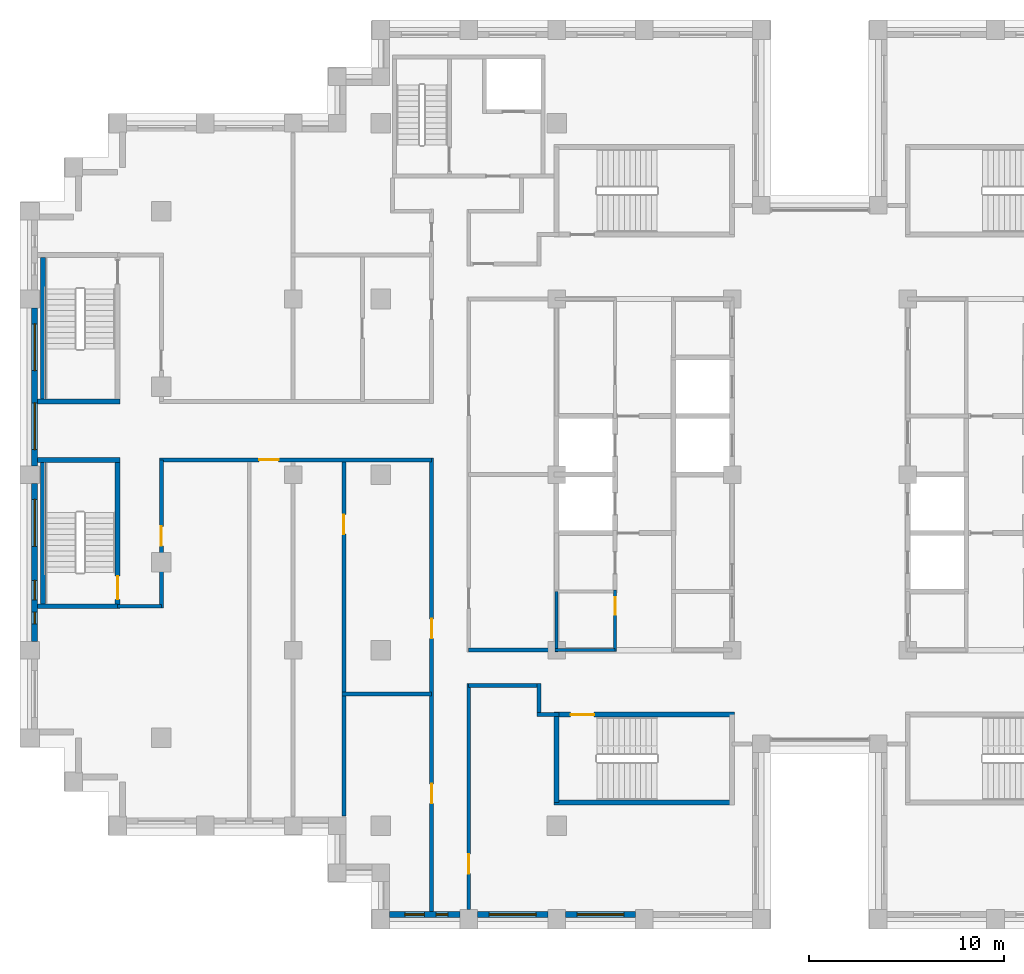
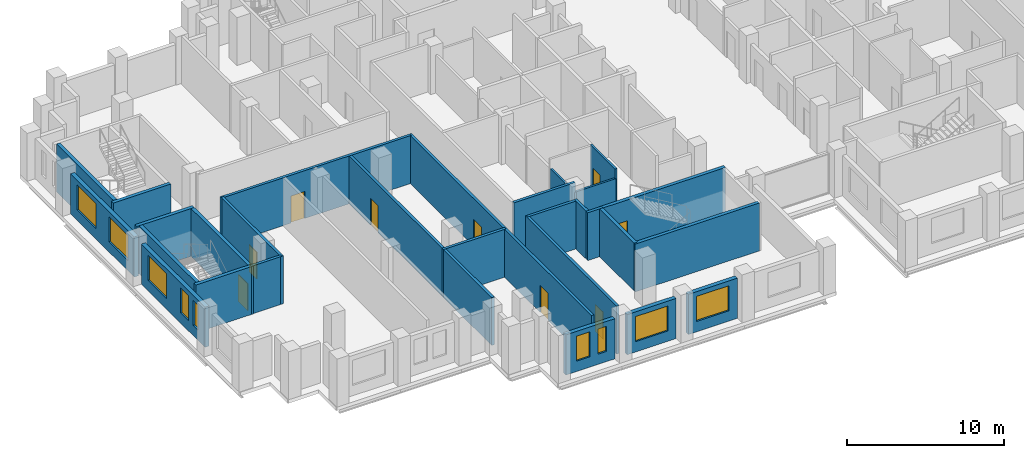
# One storey, part 6 of 15: 28 walls, 9 doors, 9 windows, 18 openings.
"""IFC4 building model written with IfcOpenShell, lengths in metres."""

from ifc_helpers import new_model, si_unit, direction, frame, frame_2d, origin, place, context, subcontext, project, spatial, rectangle, extrude, material, layer, layer_set, type_object, element, fill, save


model = new_model("IFC4")

# Units and contexts
model_context = context("Model", 3, precision=1e-05, world=origin(), true_north=direction((0.0, 1.0)))
body_context = subcontext(model_context, "Body", "Model", "MODEL_VIEW")
ifc_project = project(units=[si_unit("LENGTHUNIT", "METRE"), si_unit("AREAUNIT", "SQUARE_METRE"), si_unit("VOLUMEUNIT", "CUBIC_METRE"), si_unit("PLANEANGLEUNIT", "RADIAN"), si_unit("MASSUNIT", "GRAM", prefix="KILO")], contexts=[model_context])

# Site, building, storey
site_placement = place(None, origin())
site = spatial("IfcSite", under=ifc_project, at=site_placement, CompositionType="ELEMENT")
building_placement = place(site_placement, origin())
building = spatial("IfcBuilding", under=site, at=building_placement, Name="Corbelhall Arena Tower", CompositionType="ELEMENT")
storey_placement = place(building_placement, frame((0.0, 0.0, 204.0)))
storey = spatial("IfcBuildingStorey", under=building, at=storey_placement, Name="L42", CompositionType="ELEMENT", Elevation=204.0)

# Wall, openings, windows
ifc_material_1 = material(Name="Precast concrete C40/50 with granite facing", Category="masonry")
ifc_layer_1 = layer(ifc_material_1, 0.300048828125)
ifc_layer_set_1 = layer_set([ifc_layer_1], Name="EV-IW1 Infill panel 300")
wall_type_1 = type_object("IfcWallType", Name="EV-IW1 Infill panel 300", PredefinedType="SOLIDWALL", material=ifc_layer_set_1)
wall_1_placement = place(storey_placement, frame((-40.25, 8.550048828125, 0.0), z_axis=(0.0, 0.0, 1.0), x_axis=(0.0, -1.0, 0.0)))
wall_1 = element("IfcWall", 1, at=wall_1_placement, inside=storey, type_object=wall_type_1, Name="Infill panel IW1", PredefinedType="SOLIDWALL", context=body_context, shape_type="SweptSolid", body=[
    extrude(rectangle(XDim=8.10009765625, YDim=0.300048828125, at=frame_2d((4.050048828125, 0.0))), origin(), (0.0, 0.0, 1.0), 3.1201171875),
])
opening_1_placement = place(wall_1_placement, frame((0.824951171875, 0.0, 0.800048828125)))
opening_1 = element("IfcOpeningElement", 2, at=opening_1_placement, cuts=wall_1, Name="Opening WN1", PredefinedType="OPENING", context=body_context, shape_type="SweptSolid", body=[
    extrude(rectangle(XDim=2.39990234375, YDim=1.949951171875, at=frame_2d((1.199951171875, 0.97509765625))), frame((0.0, 0.14990234375, 0.0), z_axis=(0.0, -1.0, 0.0), x_axis=(1.0, 0.0, 0.0)), (0.0, 0.0, 1.0), 0.300048828125),
])
opening_2_placement = place(wall_1_placement, frame((4.875, 0.0, 0.800048828125)))
opening_2 = element("IfcOpeningElement", 3, at=opening_2_placement, cuts=wall_1, Name="Opening WN1", PredefinedType="OPENING", context=body_context, shape_type="SweptSolid", body=[
    extrude(rectangle(XDim=2.39990234375, YDim=1.949951171875, at=frame_2d((1.199951171875, 0.97509765625))), frame((0.0, 0.14990234375, 0.0), z_axis=(0.0, -1.0, 0.0), x_axis=(1.0, 0.0, 0.0)), (0.0, 0.0, 1.0), 0.300048828125),
])
ifc_material_2 = material(Name="Aluminium black anodised", Category="aluminium")
window_type_1 = type_object("IfcWindowType", Name="EV-WN1 Office window", PartitioningType="SINGLE_PANEL", PredefinedType="WINDOW", material=ifc_material_2)
window_1_placement = place(opening_1_placement, origin())
window_1 = element("IfcWindow", 4, at=window_1_placement, inside=storey, type_object=window_type_1, Name="Window WN1", OverallHeight=1.949951171875, OverallWidth=2.39990234375, PartitioningType="SINGLE_PANEL", PredefinedType="WINDOW", context=body_context, shape_type="SweptSolid", body=[
    extrude(rectangle(XDim=2.39990234375, YDim=1.949951171875, at=frame_2d((1.199951171875, 0.97509765625))), frame((0.0, 0.030029296875, 0.0), z_axis=(0.0, -1.0, 0.0), x_axis=(1.0, 0.0, 0.0)), (0.0, 0.0, 1.0), 0.06005859375),
])
fill(opening_1, window_1)
window_2_placement = place(opening_2_placement, origin())
window_2 = element("IfcWindow", 5, at=window_2_placement, inside=storey, type_object=window_type_1, Name="Window WN1", OverallHeight=1.949951171875, OverallWidth=2.39990234375, PartitioningType="SINGLE_PANEL", PredefinedType="WINDOW", context=body_context, shape_type="SweptSolid", body=[
    extrude(rectangle(XDim=2.39990234375, YDim=1.949951171875, at=frame_2d((1.199951171875, 0.97509765625))), frame((0.0, 0.030029296875, 0.0), z_axis=(0.0, -1.0, 0.0), x_axis=(1.0, 0.0, 0.0)), (0.0, 0.0, 1.0), 0.06005859375),
])
fill(opening_2, window_2)

wall_2_placement = place(storey_placement, frame((-40.25, -0.449951171875, 0.0), z_axis=(0.0, 0.0, 1.0), x_axis=(0.0, -1.0, 0.0)))
wall_2 = element("IfcWall", 6, at=wall_2_placement, inside=storey, type_object=wall_type_1, Name="Infill panel IW1", PredefinedType="SOLIDWALL", context=body_context, shape_type="SweptSolid", body=[
    extrude(rectangle(XDim=8.10009765625, YDim=0.300048828125, at=frame_2d((4.050048828125, 0.0))), origin(), (0.0, 0.0, 1.0), 3.1201171875),
])
opening_3_placement = place(wall_2_placement, frame((0.824951171875, 0.0, 0.800048828125)))
opening_3 = element("IfcOpeningElement", 7, at=opening_3_placement, cuts=wall_2, Name="Opening WN1", PredefinedType="OPENING", context=body_context, shape_type="SweptSolid", body=[
    extrude(rectangle(XDim=2.39990234375, YDim=1.949951171875, at=frame_2d((1.199951171875, 0.97509765625))), frame((0.0, 0.14990234375, 0.0), z_axis=(0.0, -1.0, 0.0), x_axis=(1.0, 0.0, 0.0)), (0.0, 0.0, 1.0), 0.300048828125),
])
opening_4_placement = place(wall_2_placement, frame((4.97509765625, 0.0, 0.800048828125)))
opening_4 = element("IfcOpeningElement", 8, at=opening_4_placement, cuts=wall_2, Name="Opening WN6", PredefinedType="OPENING", context=body_context, shape_type="SweptSolid", body=[
    extrude(rectangle(XDim=1.0, YDim=1.949951171875, at=frame_2d((0.5, 0.97509765625))), frame((0.0, 0.14990234375, 0.0), z_axis=(0.0, -1.0, 0.0), x_axis=(1.0, 0.0, 0.0)), (0.0, 0.0, 1.0), 0.300048828125),
])
opening_5_placement = place(wall_2_placement, frame((6.60009765625, 0.0, 0.800048828125)))
opening_5 = element("IfcOpeningElement", 9, at=opening_5_placement, cuts=wall_2, Name="Opening WN5", PredefinedType="OPENING", context=body_context, shape_type="SweptSolid", body=[
    extrude(rectangle(XDim=0.60009765625, YDim=1.949951171875, at=frame_2d((0.300048828125, 0.97509765625))), frame((0.0, 0.14990234375, 0.0), z_axis=(0.0, -1.0, 0.0), x_axis=(1.0, 0.0, 0.0)), (0.0, 0.0, 1.0), 0.300048828125),
])
window_3_placement = place(opening_3_placement, origin())
window_3 = element("IfcWindow", 10, at=window_3_placement, inside=storey, type_object=window_type_1, Name="Window WN1", OverallHeight=1.949951171875, OverallWidth=2.39990234375, PartitioningType="SINGLE_PANEL", PredefinedType="WINDOW", context=body_context, shape_type="SweptSolid", body=[
    extrude(rectangle(XDim=2.39990234375, YDim=1.949951171875, at=frame_2d((1.199951171875, 0.97509765625))), frame((0.0, 0.030029296875, 0.0), z_axis=(0.0, -1.0, 0.0), x_axis=(1.0, 0.0, 0.0)), (0.0, 0.0, 1.0), 0.06005859375),
])
fill(opening_3, window_3)
window_type_2 = type_object("IfcWindowType", Name="EV-WN5 Office window 600", PartitioningType="SINGLE_PANEL", PredefinedType="WINDOW", material=ifc_material_2)
window_4_placement = place(opening_5_placement, origin())
window_4 = element("IfcWindow", 11, at=window_4_placement, inside=storey, type_object=window_type_2, Name="Window WN5", OverallHeight=1.949951171875, OverallWidth=0.60009765625, PartitioningType="SINGLE_PANEL", PredefinedType="WINDOW", context=body_context, shape_type="SweptSolid", body=[
    extrude(rectangle(XDim=0.60009765625, YDim=1.949951171875, at=frame_2d((0.300048828125, 0.97509765625))), frame((0.0, 0.030029296875, 0.0), z_axis=(0.0, -1.0, 0.0), x_axis=(1.0, 0.0, 0.0)), (0.0, 0.0, 1.0), 0.06005859375),
])
fill(opening_5, window_4)
window_type_3 = type_object("IfcWindowType", Name="EV-WN6 Office window 1000", PartitioningType="SINGLE_PANEL", PredefinedType="WINDOW", material=ifc_material_2)
window_5_placement = place(opening_4_placement, origin())
window_5 = element("IfcWindow", 12, at=window_5_placement, inside=storey, type_object=window_type_3, Name="Window WN6", OverallHeight=1.949951171875, OverallWidth=1.0, PartitioningType="SINGLE_PANEL", PredefinedType="WINDOW", context=body_context, shape_type="SweptSolid", body=[
    extrude(rectangle(XDim=1.0, YDim=1.949951171875, at=frame_2d((0.5, 0.97509765625))), frame((0.0, 0.030029296875, 0.0), z_axis=(0.0, -1.0, 0.0), x_axis=(1.0, 0.0, 0.0)), (0.0, 0.0, 1.0), 0.06005859375),
])
fill(opening_4, window_5)

wall_3_placement = place(storey_placement, frame((-22.050048828125, -22.550048828125, 0.0), z_axis=(0.0, 0.0, 1.0), x_axis=(1.0, 0.0, 0.0)))
wall_3 = element("IfcWall", 13, at=wall_3_placement, inside=storey, type_object=wall_type_1, Name="Infill panel IW1", PredefinedType="SOLIDWALL", context=body_context, shape_type="SweptSolid", body=[
    extrude(rectangle(XDim=3.60009765625, YDim=0.300048828125, at=frame_2d((1.800048828125, 0.0))), origin(), (0.0, 0.0, 1.0), 3.1201171875),
])
opening_6_placement = place(wall_3_placement, frame((0.77490234375, 0.0, 0.800048828125)))
opening_6 = element("IfcOpeningElement", 14, at=opening_6_placement, cuts=wall_3, Name="Opening WN6", PredefinedType="OPENING", context=body_context, shape_type="SweptSolid", body=[
    extrude(rectangle(XDim=1.0, YDim=1.949951171875, at=frame_2d((0.5, 0.97509765625))), frame((0.0, 0.14990234375, 0.0), z_axis=(0.0, -1.0, 0.0), x_axis=(1.0, 0.0, 0.0)), (0.0, 0.0, 1.0), 0.300048828125),
])
opening_7_placement = place(wall_3_placement, frame((2.375, 0.0, 0.800048828125)))
opening_7 = element("IfcOpeningElement", 15, at=opening_7_placement, cuts=wall_3, Name="Opening WN5", PredefinedType="OPENING", context=body_context, shape_type="SweptSolid", body=[
    extrude(rectangle(XDim=0.60009765625, YDim=1.949951171875, at=frame_2d((0.300048828125, 0.97509765625))), frame((0.0, 0.14990234375, 0.0), z_axis=(0.0, -1.0, 0.0), x_axis=(1.0, 0.0, 0.0)), (0.0, 0.0, 1.0), 0.300048828125),
])
window_6_placement = place(opening_7_placement, origin())
window_6 = element("IfcWindow", 16, at=window_6_placement, inside=storey, type_object=window_type_2, Name="Window WN5", OverallHeight=1.949951171875, OverallWidth=0.60009765625, PartitioningType="SINGLE_PANEL", PredefinedType="WINDOW", context=body_context, shape_type="SweptSolid", body=[
    extrude(rectangle(XDim=0.60009765625, YDim=1.949951171875, at=frame_2d((0.300048828125, 0.97509765625))), frame((0.0, 0.030029296875, 0.0), z_axis=(0.0, -1.0, 0.0), x_axis=(1.0, 0.0, 0.0)), (0.0, 0.0, 1.0), 0.06005859375),
])
fill(opening_7, window_6)
window_7_placement = place(opening_6_placement, origin())
window_7 = element("IfcWindow", 17, at=window_7_placement, inside=storey, type_object=window_type_3, Name="Window WN6", OverallHeight=1.949951171875, OverallWidth=1.0, PartitioningType="SINGLE_PANEL", PredefinedType="WINDOW", context=body_context, shape_type="SweptSolid", body=[
    extrude(rectangle(XDim=1.0, YDim=1.949951171875, at=frame_2d((0.5, 0.97509765625))), frame((0.0, 0.030029296875, 0.0), z_axis=(0.0, -1.0, 0.0), x_axis=(1.0, 0.0, 0.0)), (0.0, 0.0, 1.0), 0.06005859375),
])
fill(opening_6, window_7)

# Wall, opening, window
wall_4_placement = place(storey_placement, frame((-17.550048828125, -22.550048828125, 0.0), z_axis=(0.0, 0.0, 1.0), x_axis=(1.0, 0.0, 0.0)))
wall_4 = element("IfcWall", 18, at=wall_4_placement, inside=storey, type_object=wall_type_1, Name="Infill panel IW1", PredefinedType="SOLIDWALL", context=body_context, shape_type="SweptSolid", body=[
    extrude(rectangle(XDim=3.60009765625, YDim=0.300048828125, at=frame_2d((1.800048828125, 0.0))), origin(), (0.0, 0.0, 1.0), 3.1201171875),
])
opening_8_placement = place(wall_4_placement, frame((0.60009765625, 0.0, 0.800048828125)))
opening_8 = element("IfcOpeningElement", 19, at=opening_8_placement, cuts=wall_4, Name="Opening WN1", PredefinedType="OPENING", context=body_context, shape_type="SweptSolid", body=[
    extrude(rectangle(XDim=2.39990234375, YDim=1.949951171875, at=frame_2d((1.199951171875, 0.97509765625))), frame((0.0, 0.14990234375, 0.0), z_axis=(0.0, -1.0, 0.0), x_axis=(1.0, 0.0, 0.0)), (0.0, 0.0, 1.0), 0.300048828125),
])
window_8_placement = place(opening_8_placement, origin())
window_8 = element("IfcWindow", 20, at=window_8_placement, inside=storey, type_object=window_type_1, Name="Window WN1", OverallHeight=1.949951171875, OverallWidth=2.39990234375, PartitioningType="SINGLE_PANEL", PredefinedType="WINDOW", context=body_context, shape_type="SweptSolid", body=[
    extrude(rectangle(XDim=2.39990234375, YDim=1.949951171875, at=frame_2d((1.199951171875, 0.97509765625))), frame((0.0, 0.030029296875, 0.0), z_axis=(0.0, -1.0, 0.0), x_axis=(1.0, 0.0, 0.0)), (0.0, 0.0, 1.0), 0.06005859375),
])
fill(opening_8, window_8)

wall_5_placement = place(storey_placement, frame((-13.050048828125, -22.550048828125, 0.0), z_axis=(0.0, 0.0, 1.0), x_axis=(1.0, 0.0, 0.0)))
wall_5 = element("IfcWall", 21, at=wall_5_placement, inside=storey, type_object=wall_type_1, Name="Infill panel IW1", PredefinedType="SOLIDWALL", context=body_context, shape_type="SweptSolid", body=[
    extrude(rectangle(XDim=3.60009765625, YDim=0.300048828125, at=frame_2d((1.800048828125, 0.0))), origin(), (0.0, 0.0, 1.0), 3.1201171875),
])
opening_9_placement = place(wall_5_placement, frame((0.60009765625, 0.0, 0.800048828125)))
opening_9 = element("IfcOpeningElement", 22, at=opening_9_placement, cuts=wall_5, Name="Opening WN1", PredefinedType="OPENING", context=body_context, shape_type="SweptSolid", body=[
    extrude(rectangle(XDim=2.39990234375, YDim=1.949951171875, at=frame_2d((1.199951171875, 0.97509765625))), frame((0.0, 0.14990234375, 0.0), z_axis=(0.0, -1.0, 0.0), x_axis=(1.0, 0.0, 0.0)), (0.0, 0.0, 1.0), 0.300048828125),
])
window_9_placement = place(opening_9_placement, origin())
window_9 = element("IfcWindow", 23, at=window_9_placement, inside=storey, type_object=window_type_1, Name="Window WN1", OverallHeight=1.949951171875, OverallWidth=2.39990234375, PartitioningType="SINGLE_PANEL", PredefinedType="WINDOW", context=body_context, shape_type="SweptSolid", body=[
    extrude(rectangle(XDim=2.39990234375, YDim=1.949951171875, at=frame_2d((1.199951171875, 0.97509765625))), frame((0.0, 0.030029296875, 0.0), z_axis=(0.0, -1.0, 0.0), x_axis=(1.0, 0.0, 0.0)), (0.0, 0.0, 1.0), 0.06005859375),
])
fill(opening_9, window_9)

# Wall
ifc_material_3 = material(Name="Gypsum board on steel stud, acoustic", Category="steel")
ifc_layer_2 = layer(ifc_material_3, 0.199951171875)
ifc_layer_set_2 = layer_set([ifc_layer_2], Name="IN-W-DM200")
wall_type_2 = type_object("IfcWallType", Name="IN-W-DM200", PredefinedType="PARTITIONING", material=ifc_layer_set_2)
wall_6_placement = place(storey_placement, frame((-33.75, -6.75, 0.0), z_axis=(0.0, 0.0, 1.0), x_axis=(-1.0, 0.0, 0.0)))
element("IfcWall", 24, at=wall_6_placement, inside=storey, type_object=wall_type_2, Name="Partition 003", PredefinedType="PARTITIONING", context=body_context, shape_type="SweptSolid", body=[
    extrude(rectangle(XDim=2.25, YDim=0.199951171875, at=frame_2d((1.125, 0.0))), origin(), (0.0, 0.0, 1.0), 3.719970703125),
])

# Wall, opening, door
wall_7_placement = place(storey_placement, frame((-33.75, 0.75, 0.0), z_axis=(0.0, 0.0, 1.0), x_axis=(0.0, -1.0, 0.0)))
wall_7 = element("IfcWall", 25, at=wall_7_placement, inside=storey, type_object=wall_type_2, Name="Partition 004", PredefinedType="PARTITIONING", context=body_context, shape_type="SweptSolid", body=[
    extrude(rectangle(XDim=7.60009765625, YDim=0.199951171875, at=frame_2d((3.800048828125, 0.0))), origin(), (0.0, 0.0, 1.0), 3.719970703125),
])
opening_10_placement = place(wall_7_placement, frame((3.39990234375, 0.0, 0.0)))
opening_10 = element("IfcOpeningElement", 26, at=opening_10_placement, cuts=wall_7, Name="Opening 12044", PredefinedType="OPENING", context=body_context, shape_type="SweptSolid", body=[
    extrude(rectangle(XDim=1.0, YDim=2.10009765625, at=frame_2d((0.5, 1.050048828125))), frame((0.0, 0.10009765625, 0.0), z_axis=(0.0, -1.0, 0.0), x_axis=(1.0, 0.0, 0.0)), (0.0, 0.0, 1.0), 0.199951171875),
])
ifc_material_4 = material(Name="Steel door set", Category="steel")
door_type_1 = type_object("IfcDoorType", Name="IN-D-SW100", OperationType="NOTDEFINED", PredefinedType="DOOR", material=ifc_material_4)
door_1_placement = place(opening_10_placement, origin())
door_1 = element("IfcDoor", 27, at=door_1_placement, inside=storey, type_object=door_type_1, Name="Door 044", OperationType="SINGLE_SWING_LEFT", OverallHeight=2.10009765625, OverallWidth=1.0, PredefinedType="DOOR", context=body_context, shape_type="SweptSolid", body=[
    extrude(rectangle(XDim=1.0, YDim=2.10009765625, at=frame_2d((0.5, 1.050048828125))), frame((0.0, 0.02490234375, 0.0), z_axis=(0.0, -1.0, 0.0), x_axis=(1.0, 0.0, 0.0)), (0.0, 0.0, 1.0), 0.050048828125),
])
fill(opening_10, door_1)

wall_8_placement = place(storey_placement, frame((-19.89990234375, 0.75, 0.0), z_axis=(0.0, 0.0, 1.0), x_axis=(-1.0, 0.0, 0.0)))
wall_8 = element("IfcWall", 28, at=wall_8_placement, inside=storey, type_object=wall_type_2, Name="Partition 007", PredefinedType="PARTITIONING", context=body_context, shape_type="SweptSolid", body=[
    extrude(rectangle(XDim=13.9501953125, YDim=0.199951171875, at=frame_2d((6.97509765625, 0.0))), origin(), (0.0, 0.0, 1.0), 3.719970703125),
])
opening_11_placement = place(wall_8_placement, frame((7.85009765625, 0.0, 0.0)))
opening_11 = element("IfcOpeningElement", 29, at=opening_11_placement, cuts=wall_8, Name="Opening 12045", PredefinedType="OPENING", context=body_context, shape_type="SweptSolid", body=[
    extrude(rectangle(XDim=1.0, YDim=2.10009765625, at=frame_2d((0.5, 1.050048828125))), frame((0.0, 0.10009765625, 0.0), z_axis=(0.0, -1.0, 0.0), x_axis=(1.0, 0.0, 0.0)), (0.0, 0.0, 1.0), 0.199951171875),
])
door_2_placement = place(opening_11_placement, origin())
door_2 = element("IfcDoor", 30, at=door_2_placement, inside=storey, type_object=door_type_1, Name="Door 045", OperationType="SINGLE_SWING_RIGHT", OverallHeight=2.10009765625, OverallWidth=1.0, PredefinedType="DOOR", context=body_context, shape_type="SweptSolid", body=[
    extrude(rectangle(XDim=1.0, YDim=2.10009765625, at=frame_2d((0.5, 1.050048828125))), frame((0.0, 0.02490234375, 0.0), z_axis=(0.0, -1.0, 0.0), x_axis=(1.0, 0.0, 0.0)), (0.0, 0.0, 1.0), 0.050048828125),
])
fill(opening_11, door_2)

# Wall
wall_9_placement = place(storey_placement, frame((-24.5, -11.25, 0.0), z_axis=(0.0, 0.0, 1.0), x_axis=(1.0, 0.0, 0.0)))
element("IfcWall", 31, at=wall_9_placement, inside=storey, type_object=wall_type_2, Name="Partition 011", PredefinedType="PARTITIONING", context=body_context, shape_type="SweptSolid", body=[
    extrude(rectangle(XDim=4.60009765625, YDim=0.199951171875, at=frame_2d((2.300048828125, 0.0))), origin(), (0.0, 0.0, 1.0), 3.719970703125),
])

# Wall, opening, door
wall_10_placement = place(storey_placement, frame((-24.39990234375, -17.5, 0.0), z_axis=(0.0, 0.0, 1.0), x_axis=(0.0, 1.0, 0.0)))
wall_10 = element("IfcWall", 32, at=wall_10_placement, inside=storey, type_object=wall_type_2, Name="Partition 012", PredefinedType="PARTITIONING", context=body_context, shape_type="SweptSolid", body=[
    extrude(rectangle(XDim=18.25, YDim=0.199951171875, at=frame_2d((9.125, 0.0))), origin(), (0.0, 0.0, 1.0), 3.719970703125),
])
opening_12_placement = place(wall_10_placement, frame((14.449951171875, 0.0, 0.0)))
opening_12 = element("IfcOpeningElement", 33, at=opening_12_placement, cuts=wall_10, Name="Opening 12035", PredefinedType="OPENING", context=body_context, shape_type="SweptSolid", body=[
    extrude(rectangle(XDim=1.0, YDim=2.10009765625, at=frame_2d((0.5, 1.050048828125))), frame((0.0, 0.10009765625, 0.0), z_axis=(0.0, -1.0, 0.0), x_axis=(1.0, 0.0, 0.0)), (0.0, 0.0, 1.0), 0.199951171875),
])
door_3_placement = place(opening_12_placement, origin())
door_3 = element("IfcDoor", 34, at=door_3_placement, inside=storey, type_object=door_type_1, Name="Door 035", OperationType="SINGLE_SWING_RIGHT", OverallHeight=2.10009765625, OverallWidth=1.0, PredefinedType="DOOR", context=body_context, shape_type="SweptSolid", body=[
    extrude(rectangle(XDim=1.0, YDim=2.10009765625, at=frame_2d((0.5, 1.050048828125))), frame((0.0, 0.02490234375, 0.0), z_axis=(0.0, -1.0, 0.0), x_axis=(1.0, 0.0, 0.0)), (0.0, 0.0, 1.0), 0.050048828125),
])
fill(opening_12, door_3)

# Wall, openings, doors
wall_11_placement = place(storey_placement, frame((-19.89990234375, -22.39990234375, 0.0), z_axis=(0.0, 0.0, 1.0), x_axis=(0.0, 1.0, 0.0)))
wall_11 = element("IfcWall", 35, at=wall_11_placement, inside=storey, type_object=wall_type_2, Name="Partition 015", PredefinedType="PARTITIONING", context=body_context, shape_type="SweptSolid", body=[
    extrude(rectangle(XDim=23.25, YDim=0.199951171875, at=frame_2d((11.625, 0.0))), origin(), (0.0, 0.0, 1.0), 3.719970703125),
])
opening_13_placement = place(wall_11_placement, frame((5.550048828125, 0.0, 0.0)))
opening_13 = element("IfcOpeningElement", 36, at=opening_13_placement, cuts=wall_11, Name="Opening 12033", PredefinedType="OPENING", context=body_context, shape_type="SweptSolid", body=[
    extrude(rectangle(XDim=1.0, YDim=2.10009765625, at=frame_2d((0.5, 1.050048828125))), frame((0.0, 0.10009765625, 0.0), z_axis=(0.0, -1.0, 0.0), x_axis=(1.0, 0.0, 0.0)), (0.0, 0.0, 1.0), 0.199951171875),
])
opening_14_placement = place(wall_11_placement, frame((14.0, 0.0, 0.0)))
opening_14 = element("IfcOpeningElement", 37, at=opening_14_placement, cuts=wall_11, Name="Opening 12034", PredefinedType="OPENING", context=body_context, shape_type="SweptSolid", body=[
    extrude(rectangle(XDim=1.0, YDim=2.10009765625, at=frame_2d((0.5, 1.050048828125))), frame((0.0, 0.10009765625, 0.0), z_axis=(0.0, -1.0, 0.0), x_axis=(1.0, 0.0, 0.0)), (0.0, 0.0, 1.0), 0.199951171875),
])
door_4_placement = place(opening_13_placement, origin())
door_4 = element("IfcDoor", 38, at=door_4_placement, inside=storey, type_object=door_type_1, Name="Door 033", OperationType="SINGLE_SWING_RIGHT", OverallHeight=2.10009765625, OverallWidth=1.0, PredefinedType="DOOR", context=body_context, shape_type="SweptSolid", body=[
    extrude(rectangle(XDim=1.0, YDim=2.10009765625, at=frame_2d((0.5, 1.050048828125))), frame((0.0, 0.02490234375, 0.0), z_axis=(0.0, -1.0, 0.0), x_axis=(1.0, 0.0, 0.0)), (0.0, 0.0, 1.0), 0.050048828125),
])
fill(opening_13, door_4)
door_5_placement = place(opening_14_placement, origin())
door_5 = element("IfcDoor", 39, at=door_5_placement, inside=storey, type_object=door_type_1, Name="Door 034", OperationType="SINGLE_SWING_LEFT", OverallHeight=2.10009765625, OverallWidth=1.0, PredefinedType="DOOR", context=body_context, shape_type="SweptSolid", body=[
    extrude(rectangle(XDim=1.0, YDim=2.10009765625, at=frame_2d((0.5, 1.050048828125))), frame((0.0, 0.02490234375, 0.0), z_axis=(0.0, -1.0, 0.0), x_axis=(1.0, 0.0, 0.0)), (0.0, 0.0, 1.0), 0.050048828125),
])
fill(opening_14, door_5)

# Wall, opening, door
wall_12_placement = place(storey_placement, frame((-18.0, -10.699951171875, 0.0), z_axis=(0.0, 0.0, 1.0), x_axis=(0.0, -1.0, 0.0)))
wall_12 = element("IfcWall", 40, at=wall_12_placement, inside=storey, type_object=wall_type_2, Name="Partition 018", PredefinedType="PARTITIONING", context=body_context, shape_type="SweptSolid", body=[
    extrude(rectangle(XDim=11.60009765625, YDim=0.199951171875, at=frame_2d((5.800048828125, 0.0))), origin(), (0.0, 0.0, 1.0), 3.719970703125),
])
opening_15_placement = place(wall_12_placement, frame((8.75, 0.0, 0.0)))
opening_15 = element("IfcOpeningElement", 41, at=opening_15_placement, cuts=wall_12, Name="Opening 12029", PredefinedType="OPENING", context=body_context, shape_type="SweptSolid", body=[
    extrude(rectangle(XDim=1.0, YDim=2.10009765625, at=frame_2d((0.5, 1.050048828125))), frame((0.0, 0.10009765625, 0.0), z_axis=(0.0, -1.0, 0.0), x_axis=(1.0, 0.0, 0.0)), (0.0, 0.0, 1.0), 0.199951171875),
])
door_6_placement = place(opening_15_placement, origin())
door_6 = element("IfcDoor", 42, at=door_6_placement, inside=storey, type_object=door_type_1, Name="Door 029", OperationType="SINGLE_SWING_RIGHT", OverallHeight=2.10009765625, OverallWidth=1.0, PredefinedType="DOOR", context=body_context, shape_type="SweptSolid", body=[
    extrude(rectangle(XDim=1.0, YDim=2.10009765625, at=frame_2d((0.5, 1.050048828125))), frame((0.0, 0.02490234375, 0.0), z_axis=(0.0, -1.0, 0.0), x_axis=(1.0, 0.0, 0.0)), (0.0, 0.0, 1.0), 0.050048828125),
])
fill(opening_15, door_6)

# Walls
wall_13_placement = place(storey_placement, frame((-18.0, -9.0, 0.0), z_axis=(0.0, 0.0, 1.0), x_axis=(1.0, 0.0, 0.0)))
element("IfcWall", 43, at=wall_13_placement, inside=storey, type_object=wall_type_2, Name="Partition 019", PredefinedType="PARTITIONING", context=body_context, shape_type="SweptSolid", body=[
    extrude(rectangle(XDim=4.5, YDim=0.199951171875, at=frame_2d((2.25, 0.0))), origin(), (0.0, 0.0, 1.0), 3.719970703125),
])
wall_14_placement = place(storey_placement, frame((-14.39990234375, -12.300048828125, 0.0), z_axis=(0.0, 0.0, 1.0), x_axis=(0.0, 1.0, 0.0)))
element("IfcWall", 44, at=wall_14_placement, inside=storey, type_object=wall_type_2, Name="Partition 027", PredefinedType="PARTITIONING", context=body_context, shape_type="SweptSolid", body=[
    extrude(rectangle(XDim=1.60009765625, YDim=0.199951171875, at=frame_2d((0.800048828125, 0.0))), origin(), (0.0, 0.0, 1.0), 3.719970703125),
])
wall_15_placement = place(storey_placement, frame((-14.39990234375, -10.800048828125, 0.0), z_axis=(0.0, 0.0, 1.0), x_axis=(-1.0, 0.0, 0.0)))
element("IfcWall", 45, at=wall_15_placement, inside=storey, type_object=wall_type_2, Name="Partition 028", PredefinedType="PARTITIONING", context=body_context, shape_type="SweptSolid", body=[
    extrude(rectangle(XDim=3.60009765625, YDim=0.199951171875, at=frame_2d((1.800048828125, 0.0))), origin(), (0.0, 0.0, 1.0), 3.719970703125),
])
wall_16_placement = place(storey_placement, frame((-13.375, -12.300048828125, 0.0), z_axis=(0.0, 0.0, 1.0), x_axis=(-1.0, 0.0, 0.0)))
element("IfcWall", 46, at=wall_16_placement, inside=storey, type_object=wall_type_2, Name="Partition 031", PredefinedType="PARTITIONING", context=body_context, shape_type="SweptSolid", body=[
    extrude(rectangle(XDim=1.125, YDim=0.199951171875, at=frame_2d((0.5625, 0.0))), origin(), (0.0, 0.0, 1.0), 3.719970703125),
])
ifc_material_5 = material(Name="Concrete C40/50", Category="concrete")
ifc_layer_3 = layer(ifc_material_5, 0.25)
ifc_layer_set_3 = layer_set([ifc_layer_3], Name="IN-W-ST250")
wall_type_3 = type_object("IfcWallType", Name="IN-W-ST250", PredefinedType="SOLIDWALL", material=ifc_layer_set_3)
wall_17_placement = place(storey_placement, frame((-40.10009765625, 3.75, 0.0), z_axis=(0.0, 0.0, 1.0), x_axis=(1.0, 0.0, 0.0)))
element("IfcWall", 47, at=wall_17_placement, inside=storey, type_object=wall_type_3, Name="Shaft wall 096", PredefinedType="SOLIDWALL", context=body_context, shape_type="SweptSolid", body=[
    extrude(rectangle(XDim=4.22509765625, YDim=0.25, at=frame_2d((2.112548828125, 0.0))), origin(), (0.0, 0.0, 1.0), 3.719970703125),
])
wall_18_placement = place(storey_placement, frame((-36.0, -6.75, 0.0), z_axis=(0.0, 0.0, 1.0), x_axis=(-1.0, 0.0, 0.0)))
element("IfcWall", 48, at=wall_18_placement, inside=storey, type_object=wall_type_3, Name="Shaft wall 098", PredefinedType="SOLIDWALL", context=body_context, shape_type="SweptSolid", body=[
    extrude(rectangle(XDim=4.10009765625, YDim=0.25, at=frame_2d((2.050048828125, 0.0))), origin(), (0.0, 0.0, 1.0), 3.719970703125),
])

# Wall, opening, door
wall_19_placement = place(storey_placement, frame((-36.0, 0.75, 0.0), z_axis=(0.0, 0.0, 1.0), x_axis=(0.0, -1.0, 0.0)))
wall_19 = element("IfcWall", 49, at=wall_19_placement, inside=storey, type_object=wall_type_3, Name="Shaft wall 099", PredefinedType="SOLIDWALL", context=body_context, shape_type="SweptSolid", body=[
    extrude(rectangle(XDim=7.625, YDim=0.25, at=frame_2d((3.8125, 0.0))), origin(), (0.0, 0.0, 1.0), 3.719970703125),
])
opening_16_placement = place(wall_19_placement, frame((5.949951171875, 0.0, 0.0)))
opening_16 = element("IfcOpeningElement", 50, at=opening_16_placement, cuts=wall_19, Name="Opening 12022", PredefinedType="OPENING", context=body_context, shape_type="SweptSolid", body=[
    extrude(rectangle(XDim=1.199951171875, YDim=2.10009765625, at=frame_2d((0.60009765625, 1.050048828125))), frame((0.0, 0.125, 0.0), z_axis=(0.0, -1.0, 0.0), x_axis=(1.0, 0.0, 0.0)), (0.0, 0.0, 1.0), 0.25),
])
door_type_2 = type_object("IfcDoorType", Name="IN-D-ST120", OperationType="NOTDEFINED", PredefinedType="DOOR", material=ifc_material_4)
door_7_placement = place(opening_16_placement, origin())
door_7 = element("IfcDoor", 51, at=door_7_placement, inside=storey, type_object=door_type_2, Name="Door 022", OperationType="SINGLE_SWING_LEFT", OverallHeight=2.10009765625, OverallWidth=1.199951171875, PredefinedType="DOOR", context=body_context, shape_type="SweptSolid", body=[
    extrude(rectangle(XDim=1.199951171875, YDim=2.10009765625, at=frame_2d((0.60009765625, 1.050048828125))), frame((0.0, 0.02490234375, 0.0), z_axis=(0.0, -1.0, 0.0), x_axis=(1.0, 0.0, 0.0)), (0.0, 0.0, 1.0), 0.050048828125),
])
fill(opening_16, door_7)

# Walls
wall_20_placement = place(storey_placement, frame((-35.875, 0.75, 0.0), z_axis=(0.0, 0.0, 1.0), x_axis=(-1.0, 0.0, 0.0)))
element("IfcWall", 52, at=wall_20_placement, inside=storey, type_object=wall_type_3, Name="Shaft wall 101", PredefinedType="SOLIDWALL", context=body_context, shape_type="SweptSolid", body=[
    extrude(rectangle(XDim=4.22509765625, YDim=0.25, at=frame_2d((2.112548828125, 0.0))), origin(), (0.0, 0.0, 1.0), 3.719970703125),
])
wall_21_placement = place(storey_placement, frame((-13.5, -16.800048828125, 0.0), z_axis=(0.0, 0.0, 1.0), x_axis=(0.0, 1.0, 0.0)))
element("IfcWall", 53, at=wall_21_placement, inside=storey, type_object=wall_type_3, Name="Shaft wall 104", PredefinedType="SOLIDWALL", context=body_context, shape_type="SweptSolid", body=[
    extrude(rectangle(XDim=4.5, YDim=0.25, at=frame_2d((2.25, 0.0))), origin(), (0.0, 0.0, 1.0), 3.719970703125),
])
wall_22_placement = place(storey_placement, frame((-4.5, -16.800048828125, 0.0), z_axis=(0.0, 0.0, 1.0), x_axis=(-1.0, 0.0, 0.0)))
element("IfcWall", 54, at=wall_22_placement, inside=storey, type_object=wall_type_3, Name="Shaft wall 106", PredefinedType="SOLIDWALL", context=body_context, shape_type="SweptSolid", body=[
    extrude(rectangle(XDim=9.125, YDim=0.25, at=frame_2d((4.5625, 0.0))), origin(), (0.0, 0.0, 1.0), 3.719970703125),
])

# Wall, opening, door
wall_23_placement = place(storey_placement, frame((-4.375, -12.300048828125, 0.0), z_axis=(0.0, 0.0, 1.0), x_axis=(-1.0, 0.0, 0.0)))
wall_23 = element("IfcWall", 55, at=wall_23_placement, inside=storey, type_object=wall_type_3, Name="Shaft wall 109", PredefinedType="SOLIDWALL", context=body_context, shape_type="SweptSolid", body=[
    extrude(rectangle(XDim=9.25, YDim=0.25, at=frame_2d((4.625, 0.0))), origin(), (0.0, 0.0, 1.0), 3.719970703125),
])
opening_17_placement = place(wall_23_placement, frame((7.199951171875, 0.0, 0.0)))
opening_17 = element("IfcOpeningElement", 56, at=opening_17_placement, cuts=wall_23, Name="Opening 12018", PredefinedType="OPENING", context=body_context, shape_type="SweptSolid", body=[
    extrude(rectangle(XDim=1.199951171875, YDim=2.10009765625, at=frame_2d((0.60009765625, 1.050048828125))), frame((0.0, 0.125, 0.0), z_axis=(0.0, -1.0, 0.0), x_axis=(1.0, 0.0, 0.0)), (0.0, 0.0, 1.0), 0.25),
])
door_8_placement = place(opening_17_placement, origin())
door_8 = element("IfcDoor", 57, at=door_8_placement, inside=storey, type_object=door_type_2, Name="Door 018", OperationType="SINGLE_SWING_LEFT", OverallHeight=2.10009765625, OverallWidth=1.199951171875, PredefinedType="DOOR", context=body_context, shape_type="SweptSolid", body=[
    extrude(rectangle(XDim=1.199951171875, YDim=2.10009765625, at=frame_2d((0.60009765625, 1.050048828125))), frame((0.0, 0.02490234375, 0.0), z_axis=(0.0, -1.0, 0.0), x_axis=(1.0, 0.0, 0.0)), (0.0, 0.0, 1.0), 0.050048828125),
])
fill(opening_17, door_8)

# Walls
for number, where, z_axis, x_axis, name in (
    (58, (-39.824951171875, 3.875, 0.0), (0.0, 0.0, 1.0), (0.0, 1.0, 0.0), "Shaft wall SC1 facade side"),
    (59, (-39.824951171875, -6.625, 0.0), (0.0, 0.0, 1.0), (0.0, 1.0, 0.0), "Shaft wall SC2 facade side"),
):
    element("IfcWall", number, at=place(storey_placement, frame(where, z_axis=z_axis, x_axis=x_axis)), inside=storey, type_object=wall_type_3, Name=name, PredefinedType="SOLIDWALL", context=body_context, shape_type="SweptSolid", body=[
        extrude(rectangle(XDim=7.25, YDim=0.25, at=frame_2d((3.625, 0.0))), origin(), (0.0, 0.0, 1.0), 3.719970703125),
    ])

# Wall, opening, door
ifc_material_6 = material(Name="Gypsum board on steel stud, moisture resistant", Category="steel")
ifc_layer_4 = layer(ifc_material_6, 0.14990234375)
ifc_layer_set_4 = layer_set([ifc_layer_4], Name="IN-W-WC150")
wall_type_4 = type_object("IfcWallType", Name="IN-W-WC150", PredefinedType="PARTITIONING", material=ifc_layer_set_4)
wall_24_placement = place(storey_placement, frame((-10.5, -9.074951171875, 0.0), z_axis=(0.0, 0.0, 1.0), x_axis=(0.0, 1.0, 0.0)))
wall_24 = element("IfcWall", 60, at=wall_24_placement, inside=storey, type_object=wall_type_4, Name="Partition 122", PredefinedType="PARTITIONING", context=body_context, shape_type="SweptSolid", body=[
    extrude(rectangle(XDim=3.14990234375, YDim=0.14990234375, at=frame_2d((1.574951171875, 0.0))), origin(), (0.0, 0.0, 1.0), 3.719970703125),
])
opening_18_placement = place(wall_24_placement, frame((1.89990234375, 0.0, 0.0)))
opening_18 = element("IfcOpeningElement", 61, at=opening_18_placement, cuts=wall_24, Name="Opening 12006", PredefinedType="OPENING", context=body_context, shape_type="SweptSolid", body=[
    extrude(rectangle(XDim=0.89990234375, YDim=2.10009765625, at=frame_2d((0.449951171875, 1.050048828125))), frame((0.0, 0.074951171875, 0.0), z_axis=(0.0, -1.0, 0.0), x_axis=(1.0, 0.0, 0.0)), (0.0, 0.0, 1.0), 0.14990234375),
])
ifc_material_7 = material(Name="Timber door set", Category="wood")
door_type_3 = type_object("IfcDoorType", Name="IN-D-SW90", OperationType="NOTDEFINED", PredefinedType="DOOR", material=ifc_material_7)
door_9_placement = place(opening_18_placement, origin())
door_9 = element("IfcDoor", 62, at=door_9_placement, inside=storey, type_object=door_type_3, Name="Door 006", OperationType="SINGLE_SWING_LEFT", OverallHeight=2.10009765625, OverallWidth=0.89990234375, PredefinedType="DOOR", context=body_context, shape_type="SweptSolid", body=[
    extrude(rectangle(XDim=0.89990234375, YDim=2.10009765625, at=frame_2d((0.449951171875, 1.050048828125))), frame((0.0, 0.02490234375, 0.0), z_axis=(0.0, -1.0, 0.0), x_axis=(1.0, 0.0, 0.0)), (0.0, 0.0, 1.0), 0.050048828125),
])
fill(opening_18, door_9)

# Walls
ifc_layer_5 = layer(ifc_material_6, 0.14990234375)
ifc_layer_set_5 = layer_set([ifc_layer_5], Name="IN-W-WC150 under beam 762 mm")
wall_type_5 = type_object("IfcWallType", Name="IN-W-WC150 under beam 762 mm", PredefinedType="PARTITIONING", material=ifc_layer_set_5)
wall_25_placement = place(storey_placement, frame((-13.5, -9.10009765625, 0.0), z_axis=(0.0, 0.0, 1.0), x_axis=(0.0, 1.0, 0.0)))
element("IfcWall", 63, at=wall_25_placement, inside=storey, type_object=wall_type_5, Name="Partition 120", PredefinedType="PARTITIONING", context=body_context, shape_type="SweptSolid", body=[
    extrude(rectangle(XDim=3.10009765625, YDim=0.14990234375, at=frame_2d((1.550048828125, 0.0))), origin(), (0.0, 0.0, 1.0), 2.9580078125),
])
wall_26_placement = place(storey_placement, frame((-10.5, -9.0, 0.0), z_axis=(0.0, 0.0, 1.0), x_axis=(-1.0, 0.0, 0.0)))
element("IfcWall", 64, at=wall_26_placement, inside=storey, type_object=wall_type_5, Name="Partition 123", PredefinedType="PARTITIONING", context=body_context, shape_type="SweptSolid", body=[
    extrude(rectangle(XDim=3.074951171875, YDim=0.14990234375, at=frame_2d((1.53759765625, 0.0))), origin(), (0.0, 0.0, 1.0), 2.9580078125),
])

save(model, "model.ifc")
